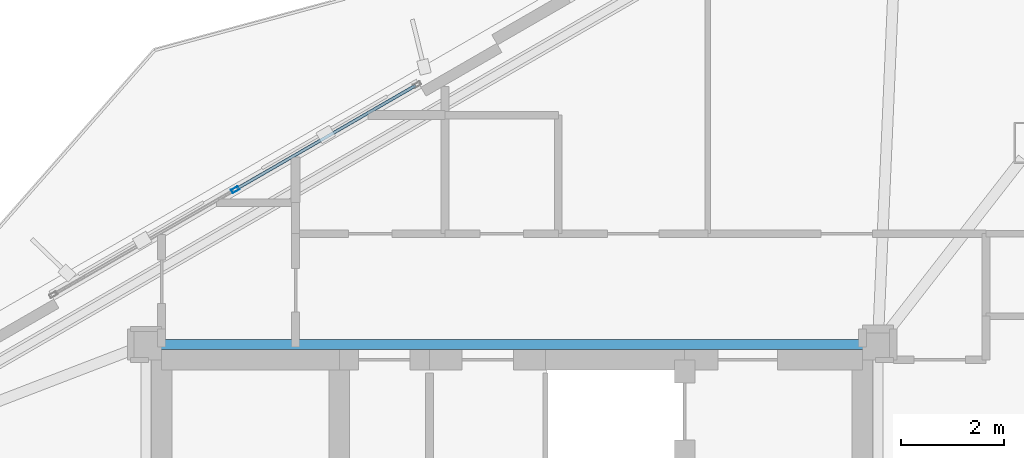
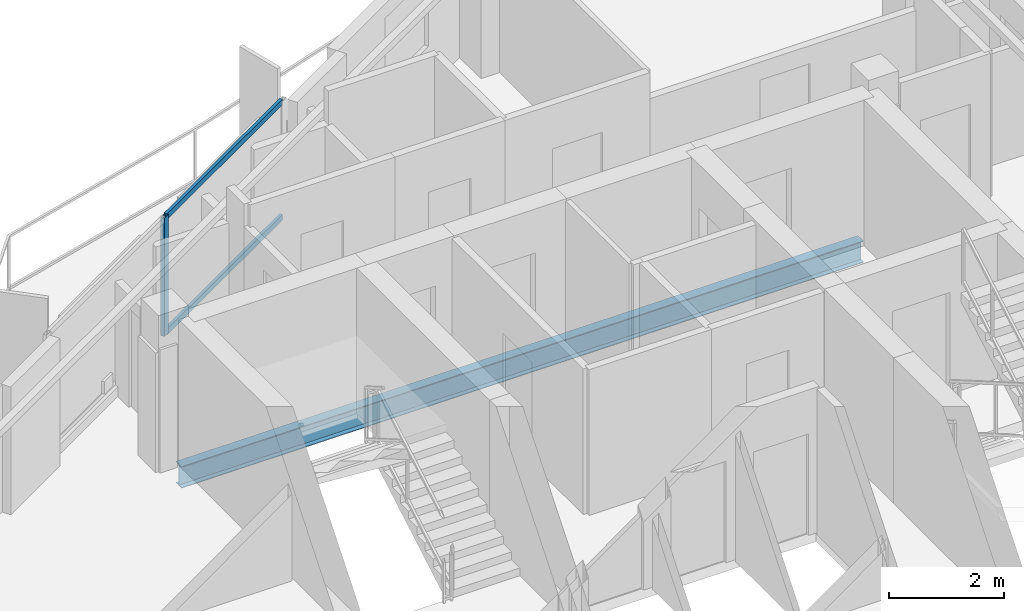
# One storey, part 10 of 18: 3 members, 1 beam, 1 element without a shape of its own.
"""IFC4 building model written with IfcOpenShell, lengths in metres."""

import ifcopenshell
import ifcopenshell.guid

model = None  # the IFC model being written
_history = None  # IfcOwnerHistory: only IFC2X3 demands one
_inside = {}  # id of a spatial element -> (the spatial element, [elements in it])
_under = {}  # id of a project, library or spatial element -> (it, [spatial elements below it])
_declared = {}  # id of a project -> (the project, [libraries it declares])
_typed = {}  # id of a type object -> (the type object, [elements of that type])
_made_of = {}  # id of a material, layer set ... -> (it, [elements and type objects made of it])


def new_model(schema):
    """Start an empty IFC model of exactly this schema.

    Asked for "IFC4X3", IfcOpenShell would pick the latest addendum, in which some entities
    have other attributes; the version numbers below select the first issue.
    IFC2X3 requires an IfcOwnerHistory on every rooted entity: one is made here for all.
    """
    global model, _history
    if schema == "IFC4X3":
        model = ifcopenshell.file(schema_version=(4, 3, 0, 0))
    else:
        model = ifcopenshell.file(schema=schema)
    _inside.clear()
    _under.clear()
    _declared.clear()
    _typed.clear()
    _made_of.clear()
    _history = None
    if model.schema == "IFC2X3":
        org = make("IfcOrganization", Name="unknown")
        user = make(
            "IfcPersonAndOrganization",
            ThePerson=make("IfcPerson", FamilyName="unknown"),
            TheOrganization=org,
        )
        app = make(
            "IfcApplication",
            ApplicationDeveloper=org,
            Version="unknown",
            ApplicationFullName="unknown",
            ApplicationIdentifier="unknown",
        )
        _history = make(
            "IfcOwnerHistory",
            OwningUser=user,
            OwningApplication=app,
            ChangeAction="ADDED",
            CreationDate=0,
        )
    return model


def make(cls, **values):
    """One entity of the class cls with the attributes given. An attribute that is None is left unset."""
    return model.create_entity(
        cls, **{name: value for name, value in values.items() if value is not None}
    )


def rooted(cls, **values):
    """An entity with a GlobalId (a new one), such as an element, a storey or a relation."""
    return make(cls, GlobalId=ifcopenshell.guid.new(), OwnerHistory=_history, **values)


def si_unit(unit_type, name, prefix=None):
    """IfcSIUnit, for example si_unit("LENGTHUNIT", "METRE", prefix="MILLI")."""
    return make("IfcSIUnit", UnitType=unit_type, Prefix=prefix, Name=name)


def assignment(units):
    """IfcUnitAssignment: the units of a project."""
    return None if units is None else make("IfcUnitAssignment", Units=units)


def point(xyz):
    """IfcCartesianPoint."""
    return None if xyz is None else make("IfcCartesianPoint", Coordinates=xyz)


def direction(xyz):
    """IfcDirection."""
    return None if xyz is None else make("IfcDirection", DirectionRatios=xyz)


def frame(location, z_axis=None, x_axis=None):
    """IfcAxis2Placement3D, a coordinate frame: its origin and axes. An axis left out is left unset."""
    return make(
        "IfcAxis2Placement3D",
        Location=point(location),
        Axis=direction(z_axis),
        RefDirection=direction(x_axis),
    )


def frame_2d(location, x_axis=None):
    """IfcAxis2Placement2D, a coordinate frame in the plane: its origin and x axis."""
    return make(
        "IfcAxis2Placement2D", Location=point(location), RefDirection=direction(x_axis)
    )


def origin():
    """The frame at (0, 0, 0) with its axes left unset."""
    return frame((0.0, 0.0, 0.0))


def origin_2d():
    """The frame at (0, 0) in the plane with its x axis left unset."""
    return frame_2d((0.0, 0.0))


def place(relative_to, where):
    """IfcLocalPlacement: puts the frame where relative to a parent placement (None: the world)."""
    return make(
        "IfcLocalPlacement", PlacementRelTo=relative_to, RelativePlacement=where
    )


def context(
    kind, dimensions, precision=None, world=None, true_north=None, identifier=None
):
    """IfcGeometricRepresentationContext, for example the 3D "Model" context."""
    return make(
        "IfcGeometricRepresentationContext",
        ContextIdentifier=identifier,
        ContextType=kind,
        CoordinateSpaceDimension=dimensions,
        Precision=precision,
        WorldCoordinateSystem=world,
        TrueNorth=true_north,
    )


def subcontext(parent, identifier, kind, view, scale=None):
    """IfcGeometricRepresentationSubContext, for example "Body" below "Model"."""
    return make(
        "IfcGeometricRepresentationSubContext",
        ContextIdentifier=identifier,
        ContextType=kind,
        ParentContext=parent,
        TargetScale=scale,
        TargetView=view,
    )


def project(units=None, contexts=None):
    """IfcProject with its units and contexts."""
    return rooted(
        "IfcProject",
        Name="project",
        RepresentationContexts=contexts,
        UnitsInContext=assignment(units),
    )


def spatial(cls, under=None, at=None, **own):
    """A site, building, storey or space (cls), placed at a placement, below another one or the project."""
    s = rooted(cls, ObjectPlacement=at, **own)
    if under is not None:
        _under.setdefault(under.id(), (under, []))[1].append(s)
    return s


def profile(cls, at=None, kind="AREA", **sizes):
    """A parametric profile (cls). Its sizes go by their IFC names, for example OverallWidth=200.0."""
    return make(cls, ProfileType=kind, Position=at, **sizes)


def hollow_rectangle(**sizes):
    """IfcRectangleHollowProfileDef."""
    return profile("IfcRectangleHollowProfileDef", **sizes)


def i_section(**sizes):
    """IfcIShapeProfileDef."""
    return profile("IfcIShapeProfileDef", **sizes)


def extrude(swept, where, along, depth):
    """IfcExtrudedAreaSolid: the profile swept, set in the frame where, extruded along a direction by depth."""
    return make(
        "IfcExtrudedAreaSolid",
        SweptArea=swept,
        Position=where,
        ExtrudedDirection=direction(along),
        Depth=depth,
    )


def shape(context_of_items, identifier, shape_type, items):
    """IfcShapeRepresentation: the items that make up one representation, for example the "Body"."""
    return make(
        "IfcShapeRepresentation",
        ContextOfItems=context_of_items,
        RepresentationIdentifier=identifier,
        RepresentationType=shape_type,
        Items=items,
    )


def material(Name=None, Category=None):
    """IfcMaterial."""
    return make("IfcMaterial", Name=Name, Category=Category)


def layer(
    of_material, thickness, ventilated=None, Name=None, Category=None, Priority=None
):
    """IfcMaterialLayer: one layer of a wall or slab, of a material (None: an air gap)."""
    return make(
        "IfcMaterialLayer",
        Material=of_material,
        LayerThickness=thickness,
        IsVentilated=ventilated,
        Name=Name,
        Category=Category,
        Priority=Priority,
    )


def layer_set(layers, Name=None):
    """IfcMaterialLayerSet."""
    return make("IfcMaterialLayerSet", MaterialLayers=layers, LayerSetName=Name)


def material_profile(
    of_material, cross_section, Name=None, Category=None, Priority=None
):
    """IfcMaterialProfile: a cross section and its material."""
    return make(
        "IfcMaterialProfile",
        Name=Name,
        Material=of_material,
        Profile=cross_section,
        Priority=Priority,
        Category=Category,
    )


def profile_set(profiles, Name=None, composite=None):
    """IfcMaterialProfileSet."""
    return make(
        "IfcMaterialProfileSet",
        Name=Name,
        MaterialProfiles=profiles,
        CompositeProfile=composite,
    )


def made_of(thing, what):
    """Note that an element or type object is made of a material, layer set ...; save() writes the relation."""
    if what is not None:
        _made_of.setdefault(what.id(), (what, []))[1].append(thing)
    return thing


def type_object(cls, material=None, **own):
    """A type object (cls), such as IfcWallType, which elements share."""
    return made_of(rooted(cls, **own), material)


def element(
    cls,
    number,
    at=None,
    inside=None,
    cuts=None,
    type_object=None,
    material=None,
    context=None,
    identifier="Body",
    shape_type=None,
    held_by="IfcProductDefinitionShape",
    body=None,
    shapes=None,
    **own,
):
    """One element of the class cls, such as IfcWall. Its Tag is "e" and its number.

    at: its placement. inside: the storey or other place that contains it. cuts: it is an
    opening in that element (IfcRelVoidsElement). A single representation is given by context,
    identifier, shape_type and body (its items); several are given by shapes. held_by: the class
    of the entity that holds the representations. save() writes the other relations.
    """
    e = rooted(cls, Tag="e%d" % number, ObjectPlacement=at, **own)
    if body is not None:
        shapes = [shape(context, identifier, shape_type, body)]
    if shapes is not None:
        e.Representation = make(held_by, Representations=shapes)
    if inside is not None:
        _inside.setdefault(inside.id(), (inside, []))[1].append(e)
    if cuts is not None:
        rooted(
            "IfcRelVoidsElement", RelatingBuildingElement=cuts, RelatedOpeningElement=e
        )
    if type_object is not None:
        _typed.setdefault(type_object.id(), (type_object, []))[1].append(e)
    return made_of(e, material)


def aggregate(whole, parts):
    """IfcRelAggregates: a whole, such as a stair, and the parts it consists of."""
    return rooted("IfcRelAggregates", RelatingObject=whole, RelatedObjects=parts)


def save(model, path):
    """Write the relations noted so far, then the file.

    IfcRelAggregates (storeys below a building ...), IfcRelContainedInSpatialStructure (elements
    in a storey), IfcRelDefinesByType, IfcRelAssociatesMaterial and IfcRelDeclares: one each for
    every whole, place, type object, material and project.
    """
    for whole, parts in _under.values():
        aggregate(whole, parts)
    for where, things in _inside.values():
        rooted(
            "IfcRelContainedInSpatialStructure",
            RelatedElements=things,
            RelatingStructure=where,
        )
    for kind, things in _typed.values():
        rooted("IfcRelDefinesByType", RelatedObjects=things, RelatingType=kind)
    for what, things in _made_of.values():
        rooted("IfcRelAssociatesMaterial", RelatedObjects=things, RelatingMaterial=what)
    for by, libraries in _declared.values():
        rooted("IfcRelDeclares", RelatingContext=by, RelatedDefinitions=libraries)
    model.write(path)


model = new_model("IFC4")

# Units and contexts
model_context = context("Model", 3, precision=1e-05, world=origin(), true_north=direction((0.0, 1.0)))
body_context = subcontext(model_context, "Body", "Model", "MODEL_VIEW")
ifc_project = project(units=[si_unit("LENGTHUNIT", "METRE"), si_unit("AREAUNIT", "SQUARE_METRE"), si_unit("VOLUMEUNIT", "CUBIC_METRE"), si_unit("PLANEANGLEUNIT", "RADIAN"), si_unit("MASSUNIT", "GRAM", prefix="KILO")], contexts=[model_context])

# Site, building, storey
site_placement = place(None, origin())
site = spatial("IfcSite", under=ifc_project, at=site_placement, CompositionType="ELEMENT")
building_placement = place(site_placement, origin())
building = spatial("IfcBuilding", under=site, at=building_placement, Name="Mersakhor Tower and Convention Hall", CompositionType="ELEMENT")
storey_placement = place(building_placement, frame((0.0, 0.0, 239.699951171875)))
storey = spatial("IfcBuildingStorey", under=building, at=storey_placement, Name="L67", CompositionType="ELEMENT", Elevation=239.699951171875)

# Beam
ifc_material_1 = material(Name="Steel S355", Category="steel")
ifc_material_profile_1 = material_profile(ifc_material_1, i_section(OverallWidth=0.19140625, OverallDepth=0.4599609375, WebThickness=0.010009765625, FlangeThickness=0.01611328125, at=origin_2d()), Name="UB 457x191x82")
ifc_profile_set_1 = profile_set([ifc_material_profile_1], Name="Steel S355")
beam_type = type_object("IfcBeamType", Name="BM-FB-457", PredefinedType="BEAM", material=ifc_profile_set_1)
beam_placement = place(storey_placement, frame((22.179931640625, 33.050048828125, -0.449951171875), z_axis=(1.0, 0.0, 0.0), x_axis=(0.0, 1.0, 0.0)))
element("IfcBeam", 1, at=beam_placement, inside=storey, type_object=beam_type, Name="L67 Core Ring Tie Beam CRB-2", PredefinedType="BEAM", context=body_context, shape_type="SweptSolid", body=[
    extrude(i_section(OverallWidth=0.19140625, OverallDepth=0.4599609375, WebThickness=0.010009765625, FlangeThickness=0.01611328125, at=origin_2d()), origin(), (0.0, 0.0, 1.0), 13.64013671875),
])

# Curtain wall, members
ifc_material_2 = material(Name="Dark solar low-E aluminium curtain wall", Category="aluminium")
ifc_layer = layer(ifc_material_2, 0.179931640625)
ifc_layer_set = layer_set([ifc_layer], Name="Dark solar low-E aluminium curtain wall")
curtain_wall_type = type_object("IfcCurtainWallType", Name="CW-SYS-03", PredefinedType="USERDEFINED", material=ifc_layer_set)
curtain_wall_placement = place(storey_placement, origin())
curtain_wall = element("IfcCurtainWall", 2, at=curtain_wall_placement, inside=storey, type_object=curtain_wall_type, Name="L67 Dark-Glass Curtain Wall F1-B2", ObjectType="CURTAIN WALL", PredefinedType="USERDEFINED")
ifc_material_3 = material(Name="Anodised aluminium EN AW-6063 T6", Category="aluminium")
ifc_material_profile_2 = material_profile(ifc_material_3, hollow_rectangle(XDim=0.074951171875, YDim=0.14990234375, WallThickness=0.00634765625, at=origin_2d()), Name="RHS 150x75x6.3")
ifc_profile_set_2 = profile_set([ifc_material_profile_2], Name="Anodised aluminium EN AW-6063 T6")
member_type_1 = type_object("IfcMemberType", Name="CWM-150x75", PredefinedType="MULLION", material=ifc_profile_set_2)
member_1_placement = place(storey_placement, frame((23.628662109375, 36.053466796875, 0.199951171875), z_axis=(0.0, 0.0, 1.0), x_axis=(-0.500004411169, 0.86602285698, 0.0)))
member_1 = element("IfcMember", 3, at=member_1_placement, type_object=member_type_1, Name="CW-03 mullion 2", PredefinedType="MULLION", context=body_context, shape_type="SweptSolid", body=[
    extrude(hollow_rectangle(XDim=0.074951171875, YDim=0.14990234375, WallThickness=0.00634765625, at=origin_2d()), origin(), (0.0, 0.0, 1.0), 2.5),
])
ifc_material_4 = material(Name="Anodised aluminium EN AW-6063 T6", Category="aluminium")
ifc_material_profile_3 = material_profile(ifc_material_4, hollow_rectangle(XDim=0.06005859375, YDim=0.1201171875, WallThickness=0.0048828125, at=origin_2d()), Name="RHS 120x60x5")
ifc_profile_set_3 = profile_set([ifc_material_profile_3], Name="Anodised aluminium EN AW-6063 T6")
member_type_2 = type_object("IfcMemberType", Name="CWT-120x60", PredefinedType="USERDEFINED", material=ifc_profile_set_3)
member_2_placement = place(storey_placement, frame((23.6611328125, 36.072265625, 0.22998046875), z_axis=(0.866023018642, 0.500004131166, 0.0), x_axis=(-0.500004131166, 0.866023018642, 0.0)))
member_2 = element("IfcMember", 4, at=member_2_placement, type_object=member_type_2, Name="CW-03 transom 2.1", ObjectType="TRANSOM", PredefinedType="USERDEFINED", context=body_context, shape_type="SweptSolid", body=[
    extrude(hollow_rectangle(XDim=0.06005859375, YDim=0.1201171875, WallThickness=0.0048828125, at=origin_2d()), origin(), (0.0, 0.0, 1.0), 4.00146484375),
])
member_3_placement = place(storey_placement, frame((23.6611328125, 36.072265625, 2.670166015625), z_axis=(0.866023018642, 0.500004131166, 0.0), x_axis=(-0.500004131166, 0.866023018642, 0.0)))
member_3 = element("IfcMember", 5, at=member_3_placement, type_object=member_type_2, Name="CW-03 transom 2.2", ObjectType="TRANSOM", PredefinedType="USERDEFINED", context=body_context, shape_type="SweptSolid", body=[
    extrude(hollow_rectangle(XDim=0.06005859375, YDim=0.1201171875, WallThickness=0.0048828125, at=origin_2d()), origin(), (0.0, 0.0, 1.0), 4.00146484375),
])
aggregate(curtain_wall, [member_1, member_2, member_3])

save(model, "model.ifc")
